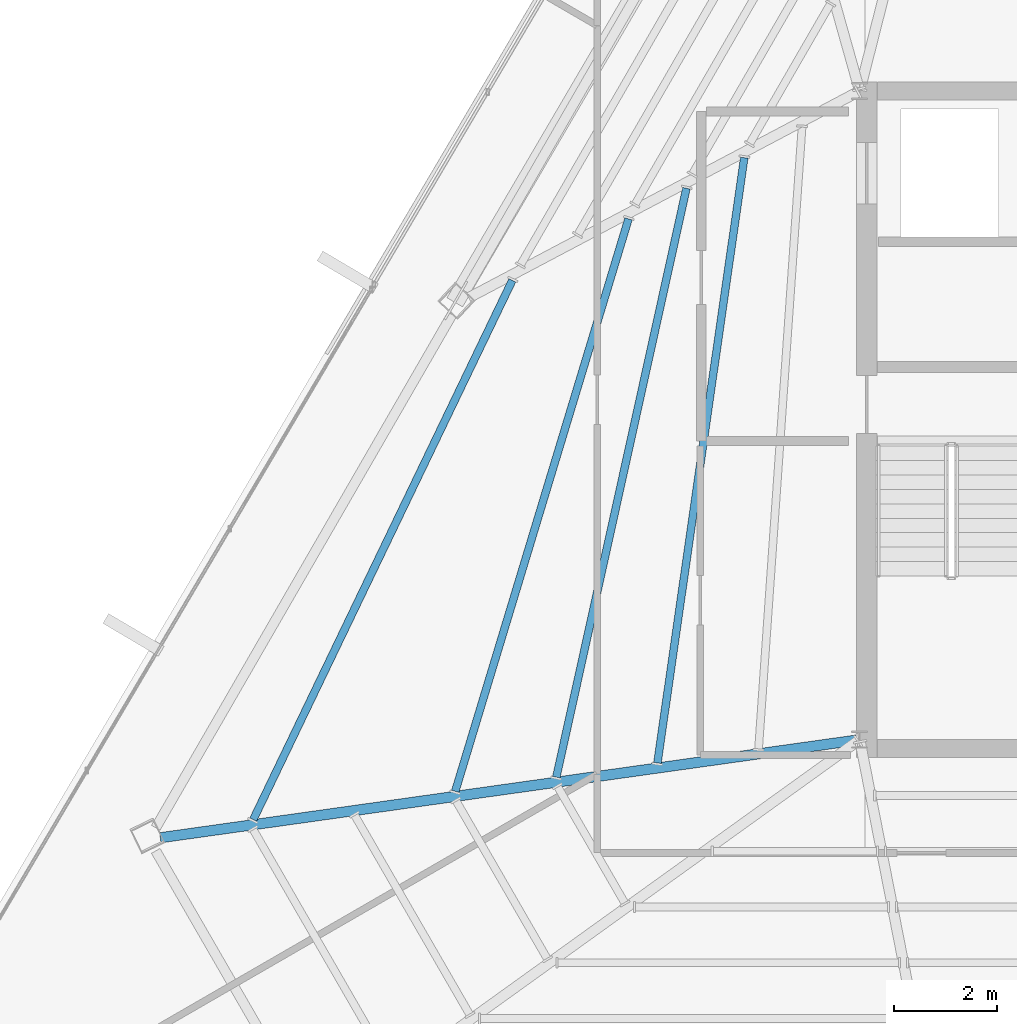
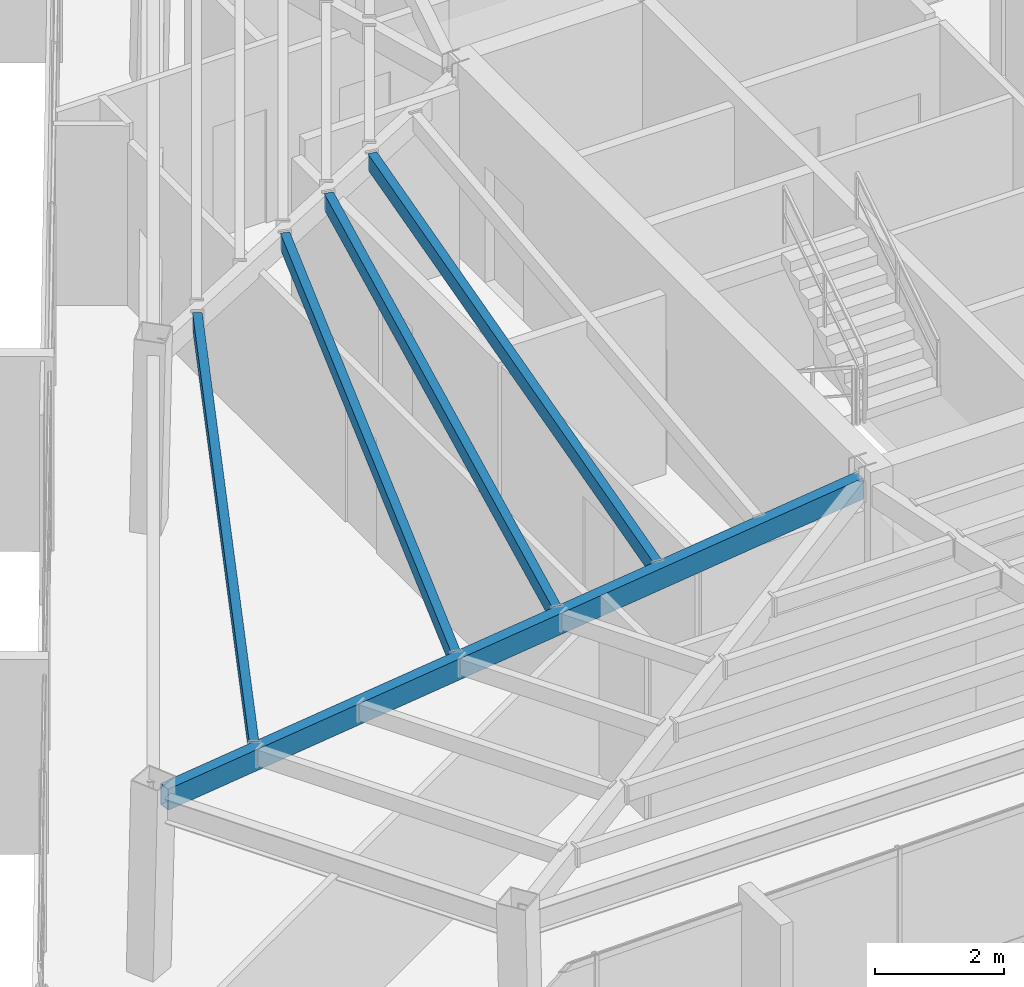
# One storey, part 10 of 48: 5 beams.
"""IFC4 building model written with IfcOpenShell, lengths in metres."""

import ifcopenshell
import ifcopenshell.guid

model = None  # the IFC model being written
_history = None  # IfcOwnerHistory: only IFC2X3 demands one
_inside = {}  # id of a spatial element -> (the spatial element, [elements in it])
_under = {}  # id of a project, library or spatial element -> (it, [spatial elements below it])
_declared = {}  # id of a project -> (the project, [libraries it declares])
_typed = {}  # id of a type object -> (the type object, [elements of that type])
_made_of = {}  # id of a material, layer set ... -> (it, [elements and type objects made of it])


def new_model(schema):
    """Start an empty IFC model of exactly this schema.

    Asked for "IFC4X3", IfcOpenShell would pick the latest addendum, in which some entities
    have other attributes; the version numbers below select the first issue.
    IFC2X3 requires an IfcOwnerHistory on every rooted entity: one is made here for all.
    """
    global model, _history
    if schema == "IFC4X3":
        model = ifcopenshell.file(schema_version=(4, 3, 0, 0))
    else:
        model = ifcopenshell.file(schema=schema)
    _inside.clear()
    _under.clear()
    _declared.clear()
    _typed.clear()
    _made_of.clear()
    _history = None
    if model.schema == "IFC2X3":
        org = make("IfcOrganization", Name="unknown")
        user = make(
            "IfcPersonAndOrganization",
            ThePerson=make("IfcPerson", FamilyName="unknown"),
            TheOrganization=org,
        )
        app = make(
            "IfcApplication",
            ApplicationDeveloper=org,
            Version="unknown",
            ApplicationFullName="unknown",
            ApplicationIdentifier="unknown",
        )
        _history = make(
            "IfcOwnerHistory",
            OwningUser=user,
            OwningApplication=app,
            ChangeAction="ADDED",
            CreationDate=0,
        )
    return model


def make(cls, **values):
    """One entity of the class cls with the attributes given. An attribute that is None is left unset."""
    return model.create_entity(
        cls, **{name: value for name, value in values.items() if value is not None}
    )


def rooted(cls, **values):
    """An entity with a GlobalId (a new one), such as an element, a storey or a relation."""
    return make(cls, GlobalId=ifcopenshell.guid.new(), OwnerHistory=_history, **values)


def si_unit(unit_type, name, prefix=None):
    """IfcSIUnit, for example si_unit("LENGTHUNIT", "METRE", prefix="MILLI")."""
    return make("IfcSIUnit", UnitType=unit_type, Prefix=prefix, Name=name)


def assignment(units):
    """IfcUnitAssignment: the units of a project."""
    return None if units is None else make("IfcUnitAssignment", Units=units)


def point(xyz):
    """IfcCartesianPoint."""
    return None if xyz is None else make("IfcCartesianPoint", Coordinates=xyz)


def direction(xyz):
    """IfcDirection."""
    return None if xyz is None else make("IfcDirection", DirectionRatios=xyz)


def frame(location, z_axis=None, x_axis=None):
    """IfcAxis2Placement3D, a coordinate frame: its origin and axes. An axis left out is left unset."""
    return make(
        "IfcAxis2Placement3D",
        Location=point(location),
        Axis=direction(z_axis),
        RefDirection=direction(x_axis),
    )


def frame_2d(location, x_axis=None):
    """IfcAxis2Placement2D, a coordinate frame in the plane: its origin and x axis."""
    return make(
        "IfcAxis2Placement2D", Location=point(location), RefDirection=direction(x_axis)
    )


def origin():
    """The frame at (0, 0, 0) with its axes left unset."""
    return frame((0.0, 0.0, 0.0))


def origin_2d():
    """The frame at (0, 0) in the plane with its x axis left unset."""
    return frame_2d((0.0, 0.0))


def place(relative_to, where):
    """IfcLocalPlacement: puts the frame where relative to a parent placement (None: the world)."""
    return make(
        "IfcLocalPlacement", PlacementRelTo=relative_to, RelativePlacement=where
    )


def context(
    kind, dimensions, precision=None, world=None, true_north=None, identifier=None
):
    """IfcGeometricRepresentationContext, for example the 3D "Model" context."""
    return make(
        "IfcGeometricRepresentationContext",
        ContextIdentifier=identifier,
        ContextType=kind,
        CoordinateSpaceDimension=dimensions,
        Precision=precision,
        WorldCoordinateSystem=world,
        TrueNorth=true_north,
    )


def subcontext(parent, identifier, kind, view, scale=None):
    """IfcGeometricRepresentationSubContext, for example "Body" below "Model"."""
    return make(
        "IfcGeometricRepresentationSubContext",
        ContextIdentifier=identifier,
        ContextType=kind,
        ParentContext=parent,
        TargetScale=scale,
        TargetView=view,
    )


def project(units=None, contexts=None):
    """IfcProject with its units and contexts."""
    return rooted(
        "IfcProject",
        Name="project",
        RepresentationContexts=contexts,
        UnitsInContext=assignment(units),
    )


def spatial(cls, under=None, at=None, **own):
    """A site, building, storey or space (cls), placed at a placement, below another one or the project."""
    s = rooted(cls, ObjectPlacement=at, **own)
    if under is not None:
        _under.setdefault(under.id(), (under, []))[1].append(s)
    return s


def profile(cls, at=None, kind="AREA", **sizes):
    """A parametric profile (cls). Its sizes go by their IFC names, for example OverallWidth=200.0."""
    return make(cls, ProfileType=kind, Position=at, **sizes)


def hollow_rectangle(**sizes):
    """IfcRectangleHollowProfileDef."""
    return profile("IfcRectangleHollowProfileDef", **sizes)


def extrude(swept, where, along, depth):
    """IfcExtrudedAreaSolid: the profile swept, set in the frame where, extruded along a direction by depth."""
    return make(
        "IfcExtrudedAreaSolid",
        SweptArea=swept,
        Position=where,
        ExtrudedDirection=direction(along),
        Depth=depth,
    )


def shape(context_of_items, identifier, shape_type, items):
    """IfcShapeRepresentation: the items that make up one representation, for example the "Body"."""
    return make(
        "IfcShapeRepresentation",
        ContextOfItems=context_of_items,
        RepresentationIdentifier=identifier,
        RepresentationType=shape_type,
        Items=items,
    )


def source(mapping_origin, context_of_items, identifier, shape_type, items):
    """IfcRepresentationMap: a shape defined once, which mapped items show again and again."""
    return make(
        "IfcRepresentationMap",
        MappingOrigin=mapping_origin,
        MappedRepresentation=shape(context_of_items, identifier, shape_type, items),
    )


def transform(
    local_origin,
    x_axis=None,
    y_axis=None,
    z_axis=None,
    scale=None,
    scale2=None,
    scale3=None,
    uniform=True,
):
    """IfcCartesianTransformationOperator3D, or its non-uniform kind. x_axis, y_axis, z_axis: its Axis1, 2, 3."""
    if uniform:
        return make(
            "IfcCartesianTransformationOperator3D",
            Axis1=direction(x_axis),
            Axis2=direction(y_axis),
            LocalOrigin=point(local_origin),
            Scale=scale,
            Axis3=direction(z_axis),
        )
    return make(
        "IfcCartesianTransformationOperator3DnonUniform",
        Axis1=direction(x_axis),
        Axis2=direction(y_axis),
        LocalOrigin=point(local_origin),
        Scale=scale,
        Axis3=direction(z_axis),
        Scale2=scale2,
        Scale3=scale3,
    )


def mapped(mapping_source, mapping_target):
    """IfcMappedItem: shows the shape of a source again, moved by a transform."""
    return make(
        "IfcMappedItem", MappingSource=mapping_source, MappingTarget=mapping_target
    )


def material(Name=None, Category=None):
    """IfcMaterial."""
    return make("IfcMaterial", Name=Name, Category=Category)


def material_profile(
    of_material, cross_section, Name=None, Category=None, Priority=None
):
    """IfcMaterialProfile: a cross section and its material."""
    return make(
        "IfcMaterialProfile",
        Name=Name,
        Material=of_material,
        Profile=cross_section,
        Priority=Priority,
        Category=Category,
    )


def profile_set(profiles, Name=None, composite=None):
    """IfcMaterialProfileSet."""
    return make(
        "IfcMaterialProfileSet",
        Name=Name,
        MaterialProfiles=profiles,
        CompositeProfile=composite,
    )


def made_of(thing, what):
    """Note that an element or type object is made of a material, layer set ...; save() writes the relation."""
    if what is not None:
        _made_of.setdefault(what.id(), (what, []))[1].append(thing)
    return thing


def type_object(cls, material=None, **own):
    """A type object (cls), such as IfcWallType, which elements share."""
    return made_of(rooted(cls, **own), material)


def type_shapes(of_type, sources):
    """Give a type object the sources (RepresentationMaps) that its elements show as mapped items."""
    of_type.RepresentationMaps = sources


def element(
    cls,
    number,
    at=None,
    inside=None,
    cuts=None,
    type_object=None,
    material=None,
    context=None,
    identifier="Body",
    shape_type=None,
    held_by="IfcProductDefinitionShape",
    body=None,
    shapes=None,
    **own,
):
    """One element of the class cls, such as IfcWall. Its Tag is "e" and its number.

    at: its placement. inside: the storey or other place that contains it. cuts: it is an
    opening in that element (IfcRelVoidsElement). A single representation is given by context,
    identifier, shape_type and body (its items); several are given by shapes. held_by: the class
    of the entity that holds the representations. save() writes the other relations.
    """
    e = rooted(cls, Tag="e%d" % number, ObjectPlacement=at, **own)
    if body is not None:
        shapes = [shape(context, identifier, shape_type, body)]
    if shapes is not None:
        e.Representation = make(held_by, Representations=shapes)
    if inside is not None:
        _inside.setdefault(inside.id(), (inside, []))[1].append(e)
    if cuts is not None:
        rooted(
            "IfcRelVoidsElement", RelatingBuildingElement=cuts, RelatedOpeningElement=e
        )
    if type_object is not None:
        _typed.setdefault(type_object.id(), (type_object, []))[1].append(e)
    return made_of(e, material)


def aggregate(whole, parts):
    """IfcRelAggregates: a whole, such as a stair, and the parts it consists of."""
    return rooted("IfcRelAggregates", RelatingObject=whole, RelatedObjects=parts)


def save(model, path):
    """Write the relations noted so far, then the file.

    IfcRelAggregates (storeys below a building ...), IfcRelContainedInSpatialStructure (elements
    in a storey), IfcRelDefinesByType, IfcRelAssociatesMaterial and IfcRelDeclares: one each for
    every whole, place, type object, material and project.
    """
    for whole, parts in _under.values():
        aggregate(whole, parts)
    for where, things in _inside.values():
        rooted(
            "IfcRelContainedInSpatialStructure",
            RelatedElements=things,
            RelatingStructure=where,
        )
    for kind, things in _typed.values():
        rooted("IfcRelDefinesByType", RelatedObjects=things, RelatingType=kind)
    for what, things in _made_of.values():
        rooted("IfcRelAssociatesMaterial", RelatedObjects=things, RelatingMaterial=what)
    for by, libraries in _declared.values():
        rooted("IfcRelDeclares", RelatingContext=by, RelatedDefinitions=libraries)
    model.write(path)


model = new_model("IFC4")

# Units and contexts
model_context = context("Model", 3, precision=1e-05, world=origin(), true_north=direction((0.0, 1.0)))
body_context = subcontext(model_context, "Body", "Model", "MODEL_VIEW")
ifc_project = project(units=[si_unit("LENGTHUNIT", "METRE"), si_unit("AREAUNIT", "SQUARE_METRE"), si_unit("VOLUMEUNIT", "CUBIC_METRE"), si_unit("PLANEANGLEUNIT", "RADIAN"), si_unit("MASSUNIT", "GRAM", prefix="KILO")], contexts=[model_context])

# Site, building, storey
site_placement = place(None, origin())
site = spatial("IfcSite", under=ifc_project, at=site_placement, CompositionType="ELEMENT")
building_placement = place(site_placement, origin())
building = spatial("IfcBuilding", under=site, at=building_placement, Name="Caelisora Broadcast Tower", CompositionType="ELEMENT")
storey_placement = place(building_placement, frame((0.0, 0.0, 277.300048828125)))
storey = spatial("IfcBuildingStorey", under=building, at=storey_placement, Name="L73", CompositionType="ELEMENT", Elevation=277.300048828125)

# Beams
ifc_material = material(Name="Steel Grade 350 (AS/NZS 1163 C350L0)", Category="steel")
ifc_material_profile_1 = material_profile(ifc_material, hollow_rectangle(XDim=0.199951171875, YDim=0.39990234375, WallThickness=0.012451171875, at=origin_2d()), Name="Steel Grade 350 (AS/NZS 1163 C350L0)")
ifc_profile_set_1 = profile_set([ifc_material_profile_1], Name="Steel Grade 350 (AS/NZS 1163 C350L0)")
beam_type_1 = type_object("IfcBeamType", Name="PG07", PredefinedType="BEAM", material=ifc_profile_set_1)
shared_shape_1 = source(origin(), body_context, "Body", "SweptSolid", [
    extrude(hollow_rectangle(XDim=0.199951171875, YDim=0.39990234375, WallThickness=0.012451171875, at=origin_2d()), origin(), (0.0, 0.0, 1.0), 13.6591796875),
])
type_shapes(beam_type_1, [shared_shape_1])
beam_1_placement = place(storey_placement, frame((30.440673828125, 17.3916015625, 3.199951171875), z_axis=(-0.99030696399, -0.138896065718, 0.0), x_axis=(0.138896065718, -0.99030696399, 0.0)))
element("IfcBeam", 1, at=beam_1_placement, inside=storey, type_object=beam_type_1, Name="L73 beam PG07", PredefinedType="BEAM", context=body_context, shape_type="MappedRepresentation", body=[
    mapped(shared_shape_1, transform((0.0, 0.0, 0.0), scale=1.0)),
])
ifc_material_profile_2 = material_profile(ifc_material, hollow_rectangle(XDim=0.14990234375, YDim=0.300048828125, WallThickness=0.010009765625, at=origin_2d()), Name="Steel Grade 350 (AS/NZS 1163 C350L0)")
ifc_profile_set_2 = profile_set([ifc_material_profile_2], Name="Steel Grade 350 (AS/NZS 1163 C350L0)")
beam_type_2 = type_object("IfcBeamType", Name="SB05", PredefinedType="JOIST", material=ifc_profile_set_2)
shared_shape_2 = source(origin(), body_context, "Body", "SweptSolid", [
    extrude(hollow_rectangle(XDim=0.14990234375, YDim=0.300048828125, WallThickness=0.010009765625, at=origin_2d()), origin(), (0.0, 0.0, 1.0), 11.877197265625),
])
beam_2_placement = place(storey_placement, frame((28.25732421875, 28.703857421875, 3.25), z_axis=(-0.142037165846, -0.989861325398, 0.0), x_axis=(0.989861325398, -0.142037165846, 0.0)))
element("IfcBeam", 2, at=beam_2_placement, inside=storey, type_object=beam_type_2, Name="L73 beam SB05", PredefinedType="JOIST", context=body_context, shape_type="MappedRepresentation", body=[
    mapped(shared_shape_2, transform((0.0, 0.0, 0.0), scale=1.0)),
])
shared_shape_3 = source(origin(), body_context, "Body", "SweptSolid", [
    extrude(hollow_rectangle(XDim=0.14990234375, YDim=0.300048828125, WallThickness=0.010009765625, at=origin_2d()), origin(), (0.0, 0.0, 1.0), 11.71435546875),
])
beam_3_placement = place(storey_placement, frame((27.134033203125, 28.10986328125, 3.25), z_axis=(-0.215767373389, -0.976444796484, 0.0), x_axis=(0.976444796484, -0.215767373389, 0.0)))
element("IfcBeam", 3, at=beam_3_placement, inside=storey, type_object=beam_type_2, Name="L73 beam SB05", PredefinedType="JOIST", context=body_context, shape_type="MappedRepresentation", body=[
    mapped(shared_shape_3, transform((0.0, 0.0, 0.0), scale=1.0)),
])
shared_shape_4 = source(origin(), body_context, "Body", "SweptSolid", [
    extrude(hollow_rectangle(XDim=0.14990234375, YDim=0.300048828125, WallThickness=0.010009765625, at=origin_2d()), origin(), (0.0, 0.0, 1.0), 11.616943359375),
])
beam_4_placement = place(storey_placement, frame((26.009033203125, 27.514892578125, 3.25), z_axis=(-0.289745490552, -0.957103730379, 0.0), x_axis=(0.957103730379, -0.289745490552, 0.0)))
element("IfcBeam", 4, at=beam_4_placement, inside=storey, type_object=beam_type_2, Name="L73 beam SB05", PredefinedType="JOIST", context=body_context, shape_type="MappedRepresentation", body=[
    mapped(shared_shape_4, transform((0.0, 0.0, 0.0), scale=1.0)),
])
shared_shape_5 = source(origin(), body_context, "Body", "SweptSolid", [
    extrude(hollow_rectangle(XDim=0.14990234375, YDim=0.300048828125, WallThickness=0.010009765625, at=origin_2d()), origin(), (0.0, 0.0, 1.0), 11.621826171875),
])
type_shapes(beam_type_2, [shared_shape_2, shared_shape_3, shared_shape_4, shared_shape_5])
beam_5_placement = place(storey_placement, frame((23.751953125, 26.3212890625, 3.25), z_axis=(-0.43308343017, -0.901353838685, 0.0), x_axis=(0.901353838685, -0.43308343017, 0.0)))
element("IfcBeam", 5, at=beam_5_placement, inside=storey, type_object=beam_type_2, Name="L73 beam SB05", PredefinedType="JOIST", context=body_context, shape_type="MappedRepresentation", body=[
    mapped(shared_shape_5, transform((0.0, 0.0, 0.0), scale=1.0)),
])

save(model, "model.ifc")
